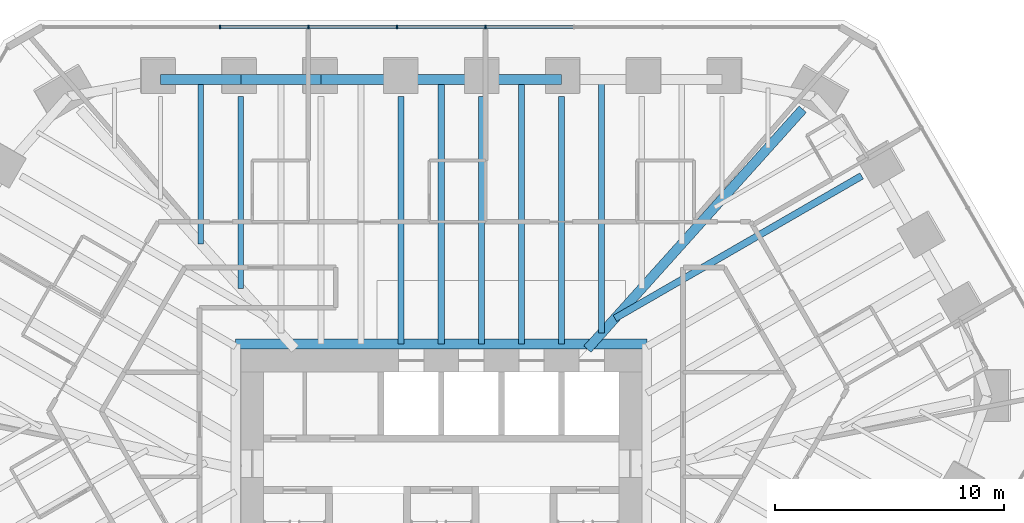
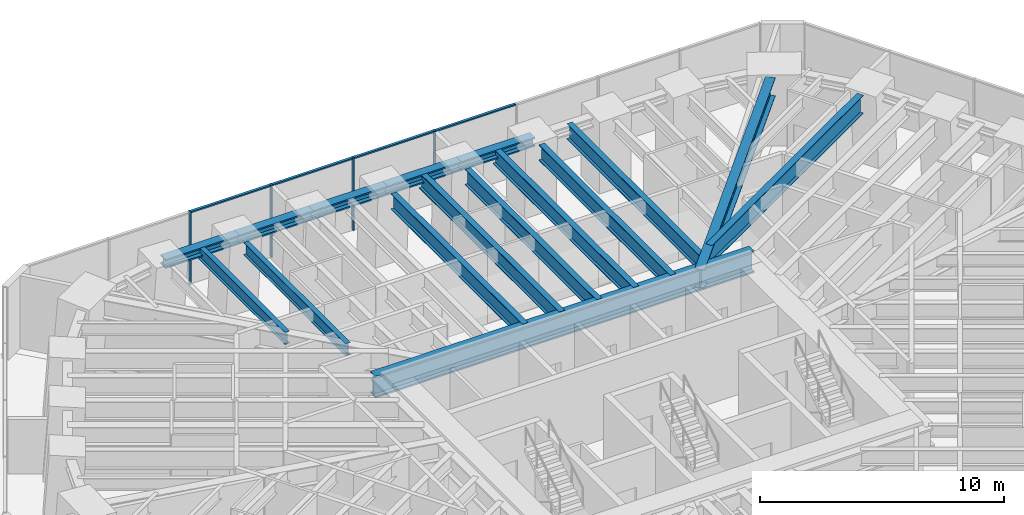
# One storey, part 8 of 16: 16 beams, 8 members, 1 element without a shape of its own.
"""IFC4 building model written with IfcOpenShell, lengths in metres."""

from ifc_helpers import new_model, si_unit, direction, frame, origin, origin_2d, place, context, subcontext, project, spatial, rectangle, i_section, extrude, material, material_profile, profile_set, type_object, element, aggregate, save


model = new_model("IFC4")

# Units and contexts
model_context = context("Model", 3, precision=1e-05, world=origin(), true_north=direction((0.0, 1.0)))
body_context = subcontext(model_context, "Body", "Model", "MODEL_VIEW")
ifc_project = project(units=[si_unit("LENGTHUNIT", "METRE"), si_unit("AREAUNIT", "SQUARE_METRE"), si_unit("VOLUMEUNIT", "CUBIC_METRE"), si_unit("PLANEANGLEUNIT", "RADIAN"), si_unit("MASSUNIT", "GRAM", prefix="KILO")], contexts=[model_context])

# Site, building, storey
site_placement = place(None, origin())
site = spatial("IfcSite", under=ifc_project, at=site_placement, CompositionType="ELEMENT")
building_placement = place(site_placement, origin())
building = spatial("IfcBuilding", under=site, at=building_placement, Name="Sandreach Pilgrim Tower", CompositionType="ELEMENT")
storey_placement = place(building_placement, frame((0.0, 0.0, 247.800048828125)))
storey = spatial("IfcBuildingStorey", under=building, at=storey_placement, Name="L62", CompositionType="ELEMENT", Elevation=247.800048828125)

# Beams
ifc_material_1 = material(Name="Steel ASTM A913 Grade 65", Category="steel")
ifc_material_profile_1 = material_profile(ifc_material_1, i_section(OverallWidth=0.419189453125, OverallDepth=0.45458984375, WebThickness=0.042236328125, FlangeThickness=0.067626953125, at=origin_2d()), Name="W14X370")
ifc_profile_set_1 = profile_set([ifc_material_profile_1], Name="Steel ASTM A913 Grade 65")
beam_type_1 = type_object("IfcBeamType", Name="Belt truss chord W14X370", PredefinedType="BEAM", material=ifc_profile_set_1)
for number, where, z_axis, x_axis, name in (
    (1, (-12.249267578125, 18.861572265625, 3.41259765625), (1.0, 0.0, 0.0), (0.0, 1.0, 0.0), "BM L62 BTB01"),
    (2, (-8.74951171875, 18.861572265625, 3.41259765625), (1.0, 0.0, 0.0), (0.0, 1.0, 0.0), "BM L62 BTB02"),
    (3, (-5.249755859375, 18.861572265625, 3.41259765625), (1.0, 0.0, 0.0), (0.0, 1.0, 0.0), "BM L62 BTB03"),
):
    element("IfcBeam", number, at=place(storey_placement, frame(where, z_axis=z_axis, x_axis=x_axis)), inside=storey, type_object=beam_type_1, Name=name, PredefinedType="BEAM", context=body_context, shape_type="SweptSolid", body=[
        extrude(i_section(OverallWidth=0.419189453125, OverallDepth=0.45458984375, WebThickness=0.042236328125, FlangeThickness=0.067626953125, at=origin_2d()), origin(), (0.0, 0.0, 1.0), 3.499755859375),
    ])
beam_1_placement = place(storey_placement, frame((-1.75, 18.861572265625, 3.41259765625), z_axis=(1.0, 0.0, 0.0), x_axis=(0.0, 1.0, 0.0)))
element("IfcBeam", 4, at=beam_1_placement, inside=storey, type_object=beam_type_1, Name="BM L62 BTB04", PredefinedType="BEAM", context=body_context, shape_type="SweptSolid", body=[
    extrude(i_section(OverallWidth=0.419189453125, OverallDepth=0.45458984375, WebThickness=0.042236328125, FlangeThickness=0.067626953125, at=origin_2d()), origin(), (0.0, 0.0, 1.0), 3.5),
])
beam_2_placement = place(storey_placement, frame((1.75, 18.861572265625, 3.41259765625), z_axis=(1.0, 0.0, 0.0), x_axis=(0.0, 1.0, 0.0)))
element("IfcBeam", 5, at=beam_2_placement, inside=storey, type_object=beam_type_1, Name="BM L62 BTB05", PredefinedType="BEAM", context=body_context, shape_type="SweptSolid", body=[
    extrude(i_section(OverallWidth=0.419189453125, OverallDepth=0.45458984375, WebThickness=0.042236328125, FlangeThickness=0.067626953125, at=origin_2d()), origin(), (0.0, 0.0, 1.0), 3.499755859375),
])

# Curtain wall, members
ifc_material_2 = material(Name="Aluminium framed curtain wall", Category="aluminium")
curtain_wall_type = type_object("IfcCurtainWallType", Name="Upper hotel tower curtain wall", PredefinedType="NOTDEFINED", material=ifc_material_2)
curtain_wall_placement = place(storey_placement, origin())
curtain_wall = element("IfcCurtainWall", 6, at=curtain_wall_placement, inside=storey, type_object=curtain_wall_type, Name="CW-3 L62 N", PredefinedType="NOTDEFINED")
ifc_material_3 = material(Name="Aluminium extrusion", Category="aluminium")
ifc_material_profile_2 = material_profile(ifc_material_3, rectangle(XDim=0.06494140625, YDim=0.159912109375, at=origin_2d()), Name="CW-3M 65X160")
ifc_profile_set_2 = profile_set([ifc_material_profile_2], Name="Aluminium extrusion")
member_type_1 = type_object("IfcMemberType", Name="CW-3 mullion", PredefinedType="MULLION", material=ifc_profile_set_2)
member_1_placement = place(storey_placement, frame((-9.6611328125, 21.16015625, 0.0), z_axis=(0.0, 0.0, 1.0), x_axis=(1.0, 0.0, 0.0)))
member_1 = element("IfcMember", 7, at=member_1_placement, type_object=member_type_1, Name="CW-3 mullion 3", PredefinedType="MULLION", context=body_context, shape_type="SweptSolid", body=[
    extrude(rectangle(XDim=0.06494140625, YDim=0.159912109375, at=origin_2d()), origin(), (0.0, 0.0, 1.0), 3.639892578125),
])
member_2_placement = place(storey_placement, frame((-5.796630859375, 21.16015625, 0.0), z_axis=(0.0, 0.0, 1.0), x_axis=(1.0, 0.0, 0.0)))
member_2 = element("IfcMember", 8, at=member_2_placement, type_object=member_type_1, Name="CW-3 mullion 4", PredefinedType="MULLION", context=body_context, shape_type="SweptSolid", body=[
    extrude(rectangle(XDim=0.06494140625, YDim=0.159912109375, at=origin_2d()), origin(), (0.0, 0.0, 1.0), 3.639892578125),
])
member_3_placement = place(storey_placement, frame((-1.93212890625, 21.16015625, 0.0), z_axis=(0.0, 0.0, 1.0), x_axis=(1.0, 0.0, 0.0)))
member_3 = element("IfcMember", 9, at=member_3_placement, type_object=member_type_1, Name="CW-3 mullion 5", PredefinedType="MULLION", context=body_context, shape_type="SweptSolid", body=[
    extrude(rectangle(XDim=0.06494140625, YDim=0.159912109375, at=origin_2d()), origin(), (0.0, 0.0, 1.0), 3.639892578125),
])
member_4_placement = place(storey_placement, frame((1.93212890625, 21.16015625, 0.0), z_axis=(0.0, 0.0, 1.0), x_axis=(1.0, 0.0, 0.0)))
member_4 = element("IfcMember", 10, at=member_4_placement, type_object=member_type_1, Name="CW-3 mullion 6", PredefinedType="MULLION", context=body_context, shape_type="SweptSolid", body=[
    extrude(rectangle(XDim=0.06494140625, YDim=0.159912109375, at=origin_2d()), origin(), (0.0, 0.0, 1.0), 3.639892578125),
])
ifc_material_4 = material(Name="Aluminium extrusion", Category="aluminium")
ifc_material_profile_3 = material_profile(ifc_material_4, rectangle(XDim=0.1201171875, YDim=0.070068359375, at=origin_2d()), Name="CW-3T 120X70")
ifc_profile_set_3 = profile_set([ifc_material_profile_3], Name="Aluminium extrusion")
member_type_2 = type_object("IfcMemberType", Name="CW-3 transom", PredefinedType="USERDEFINED", material=ifc_profile_set_3)
member_5_placement = place(storey_placement, frame((-9.628662109375, 21.16015625, 3.60498046875), z_axis=(1.0, 0.0, 0.0), x_axis=(0.0, 1.0, 0.0)))
member_5 = element("IfcMember", 11, at=member_5_placement, type_object=member_type_2, Name="CW-3 head transom 3", ObjectType="TRANSOM", PredefinedType="USERDEFINED", context=body_context, shape_type="SweptSolid", body=[
    extrude(rectangle(XDim=0.1201171875, YDim=0.070068359375, at=origin_2d()), origin(), (0.0, 0.0, 1.0), 3.799560546875),
])
member_6_placement = place(storey_placement, frame((-5.76416015625, 21.16015625, 3.60498046875), z_axis=(1.0, 0.0, 0.0), x_axis=(0.0, 1.0, 0.0)))
member_6 = element("IfcMember", 12, at=member_6_placement, type_object=member_type_2, Name="CW-3 head transom 4", ObjectType="TRANSOM", PredefinedType="USERDEFINED", context=body_context, shape_type="SweptSolid", body=[
    extrude(rectangle(XDim=0.1201171875, YDim=0.070068359375, at=origin_2d()), origin(), (0.0, 0.0, 1.0), 3.799560546875),
])
member_7_placement = place(storey_placement, frame((-1.899658203125, 21.16015625, 3.60498046875), z_axis=(1.0, 0.0, 0.0), x_axis=(0.0, 1.0, 0.0)))
member_7 = element("IfcMember", 13, at=member_7_placement, type_object=member_type_2, Name="CW-3 head transom 5", ObjectType="TRANSOM", PredefinedType="USERDEFINED", context=body_context, shape_type="SweptSolid", body=[
    extrude(rectangle(XDim=0.1201171875, YDim=0.070068359375, at=origin_2d()), origin(), (0.0, 0.0, 1.0), 3.79931640625),
])
member_8_placement = place(storey_placement, frame((1.964599609375, 21.16015625, 3.60498046875), z_axis=(1.0, 0.0, 0.0), x_axis=(0.0, 1.0, 0.0)))
member_8 = element("IfcMember", 14, at=member_8_placement, type_object=member_type_2, Name="CW-3 head transom 6", ObjectType="TRANSOM", PredefinedType="USERDEFINED", context=body_context, shape_type="SweptSolid", body=[
    extrude(rectangle(XDim=0.1201171875, YDim=0.070068359375, at=origin_2d()), origin(), (0.0, 0.0, 1.0), 3.799560546875),
])
aggregate(curtain_wall, [member_1, member_2, member_3, member_4, member_5, member_6, member_7, member_8])

# Beams
ifc_material_5 = material(Name="Steel ASTM A992 Grade 50", Category="steel")
ifc_material_profile_4 = material_profile(ifc_material_5, i_section(OverallWidth=0.424072265625, OverallDepth=1.09228515625, WebThickness=0.04541015625, FlangeThickness=0.08203125, at=origin_2d()), Name="W40X593")
ifc_profile_set_4 = profile_set([ifc_material_profile_4], Name="Steel ASTM A992 Grade 50")
beam_type_2 = type_object("IfcBeamType", Name="Core edge beam W40X593", PredefinedType="BEAM", material=ifc_profile_set_4)
beam_3_placement = place(storey_placement, frame((-8.97216796875, 7.322021484375, 3.09375), z_axis=(1.0, 0.0, 0.0), x_axis=(0.0, 1.0, 0.0)))
element("IfcBeam", 15, at=beam_3_placement, inside=storey, type_object=beam_type_2, Name="BM L62 CEN", PredefinedType="BEAM", context=body_context, shape_type="SweptSolid", body=[
    extrude(i_section(OverallWidth=0.424072265625, OverallDepth=1.09228515625, WebThickness=0.04541015625, FlangeThickness=0.08203125, at=origin_2d()), origin(), (0.0, 0.0, 1.0), 17.9443359375),
])
ifc_material_6 = material(Name="Steel ASTM A992 Grade 50", Category="steel")
ifc_material_profile_5 = material_profile(ifc_material_6, i_section(OverallWidth=0.421630859375, OverallDepth=0.937255859375, WebThickness=0.0224609375, FlangeThickness=0.039794921875, at=origin_2d()), Name="W36X282")
ifc_profile_set_5 = profile_set([ifc_material_profile_5], Name="Steel ASTM A992 Grade 50")
beam_type_3 = type_object("IfcBeamType", Name="Corner girder W36X282", PredefinedType="BEAM", material=ifc_profile_set_5)
beam_4_placement = place(storey_placement, frame((15.772705078125, 17.5654296875, 3.17138671875), z_axis=(-0.668116548622, -0.744056635921, 0.0), x_axis=(0.744056635921, -0.668116548622, 0.0)))
element("IfcBeam", 16, at=beam_4_placement, inside=storey, type_object=beam_type_3, Name="BM L62 CG09", PredefinedType="BEAM", context=body_context, shape_type="SweptSolid", body=[
    extrude(i_section(OverallWidth=0.421630859375, OverallDepth=0.937255859375, WebThickness=0.0224609375, FlangeThickness=0.039794921875, at=origin_2d()), origin(), (0.0, 0.0, 1.0), 14.065185546875),
])
ifc_material_7 = material(Name="Steel ASTM A992 Grade 50", Category="steel")
ifc_material_profile_6 = material_profile(ifc_material_7, i_section(OverallWidth=0.23046875, OverallDepth=0.6171875, WebThickness=0.01318359375, FlangeThickness=0.022216796875, at=origin_2d()), Name="W24X94")
ifc_profile_set_6 = profile_set([ifc_material_profile_6], Name="Steel ASTM A992 Grade 50")
beam_type_4 = type_object("IfcBeamType", Name="Floor beam W24X94", PredefinedType="BEAM", material=ifc_profile_set_6)
beam_5_placement = place(storey_placement, frame((-8.74951171875, 18.111572265625, 3.331298828125), z_axis=(0.0, -1.0, 0.0), x_axis=(1.0, 0.0, 0.0)))
element("IfcBeam", 17, at=beam_5_placement, inside=storey, type_object=beam_type_4, Name="BM L62 F02", PredefinedType="BEAM", context=body_context, shape_type="SweptSolid", body=[
    extrude(i_section(OverallWidth=0.23046875, OverallDepth=0.6171875, WebThickness=0.01318359375, FlangeThickness=0.022216796875, at=origin_2d()), origin(), (0.0, 0.0, 1.0), 8.36767578125),
])
beam_6_placement = place(storey_placement, frame((-10.499267578125, 18.861572265625, 3.331298828125), z_axis=(0.0, -1.0, 0.0), x_axis=(1.0, 0.0, 0.0)))
element("IfcBeam", 18, at=beam_6_placement, inside=storey, type_object=beam_type_4, Name="BM L62 FM01", PredefinedType="BEAM", context=body_context, shape_type="SweptSolid", body=[
    extrude(i_section(OverallWidth=0.23046875, OverallDepth=0.6171875, WebThickness=0.01318359375, FlangeThickness=0.022216796875, at=origin_2d()), origin(), (0.0, 0.0, 1.0), 7.1689453125),
])
ifc_material_8 = material(Name="Steel ASTM A992 Grade 50", Category="steel")
ifc_material_profile_7 = material_profile(ifc_material_8, i_section(OverallWidth=0.2666015625, OverallDepth=0.77978515625, WebThickness=0.0166015625, FlangeThickness=0.030029296875, at=origin_2d()), Name="W30X148")
ifc_profile_set_7 = profile_set([ifc_material_profile_7], Name="Steel ASTM A992 Grade 50")
beam_type_5 = type_object("IfcBeamType", Name="Floor beam W30X148", PredefinedType="BEAM", material=ifc_profile_set_7)
for number, where, z_axis, x_axis, name in (
    (19, (-1.75, 18.111572265625, 3.25), (0.0, -1.0, 0.0), (1.0, 0.0, 0.0), "BM L62 F04"),
    (20, (1.75, 18.111572265625, 3.25), (0.0, -1.0, 0.0), (1.0, 0.0, 0.0), "BM L62 F05"),
    (21, (5.249755859375, 18.111572265625, 3.25), (0.0, -1.0, 0.0), (1.0, 0.0, 0.0), "BM L62 F06"),
):
    element("IfcBeam", number, at=place(storey_placement, frame(where, z_axis=z_axis, x_axis=x_axis)), inside=storey, type_object=beam_type_5, Name=name, PredefinedType="BEAM", context=body_context, shape_type="SweptSolid", body=[
        extrude(i_section(OverallWidth=0.2666015625, OverallDepth=0.77978515625, WebThickness=0.0166015625, FlangeThickness=0.030029296875, at=origin_2d()), origin(), (0.0, 0.0, 1.0), 10.78955078125),
    ])
for number, where, z_axis, x_axis, name in (
    (22, (0.0, 18.861572265625, 3.25), (0.0, -1.0, 0.0), (1.0, 0.0, 0.0), "BM L62 FM04"),
    (23, (3.499755859375, 18.861572265625, 3.25), (0.0, -1.0, 0.0), (1.0, 0.0, 0.0), "BM L62 FM05"),
):
    element("IfcBeam", number, at=place(storey_placement, frame(where, z_axis=z_axis, x_axis=x_axis)), inside=storey, type_object=beam_type_5, Name=name, PredefinedType="BEAM", context=body_context, shape_type="SweptSolid", body=[
        extrude(i_section(OverallWidth=0.2666015625, OverallDepth=0.77978515625, WebThickness=0.0166015625, FlangeThickness=0.030029296875, at=origin_2d()), origin(), (0.0, 0.0, 1.0), 11.53955078125),
    ])
beam_7_placement = place(storey_placement, frame((6.99951171875, 18.861572265625, 3.25), z_axis=(0.0, -1.0, 0.0), x_axis=(1.0, 0.0, 0.0)))
element("IfcBeam", 24, at=beam_7_placement, inside=storey, type_object=beam_type_5, Name="BM L62 FM06", PredefinedType="BEAM", context=body_context, shape_type="SweptSolid", body=[
    extrude(i_section(OverallWidth=0.2666015625, OverallDepth=0.77978515625, WebThickness=0.0166015625, FlangeThickness=0.030029296875, at=origin_2d()), origin(), (0.0, 0.0, 1.0), 11.06640625),
])
ifc_material_9 = material(Name="Steel ASTM A992 Grade 50", Category="steel")
ifc_material_profile_8 = material_profile(ifc_material_9, i_section(OverallWidth=0.3046875, OverallDepth=0.914306640625, WebThickness=0.0166015625, FlangeThickness=0.02587890625, at=origin_2d()), Name="W36X160")
ifc_profile_set_8 = profile_set([ifc_material_profile_8], Name="Steel ASTM A992 Grade 50")
beam_type_6 = type_object("IfcBeamType", Name="Floor beam W36X160", PredefinedType="BEAM", material=ifc_profile_set_8)
beam_8_placement = place(storey_placement, frame((18.3466796875, 14.65673828125, 3.182861328125), z_axis=(-0.866023411571, -0.5000034506, 0.0), x_axis=(0.5000034506, -0.866023411571, 0.0)))
element("IfcBeam", 25, at=beam_8_placement, inside=storey, type_object=beam_type_6, Name="BM L62 F10", PredefinedType="BEAM", context=body_context, shape_type="SweptSolid", body=[
    extrude(i_section(OverallWidth=0.3046875, OverallDepth=0.914306640625, WebThickness=0.0166015625, FlangeThickness=0.02587890625, at=origin_2d()), origin(), (0.0, 0.0, 1.0), 12.4345703125),
])

save(model, "model.ifc")
